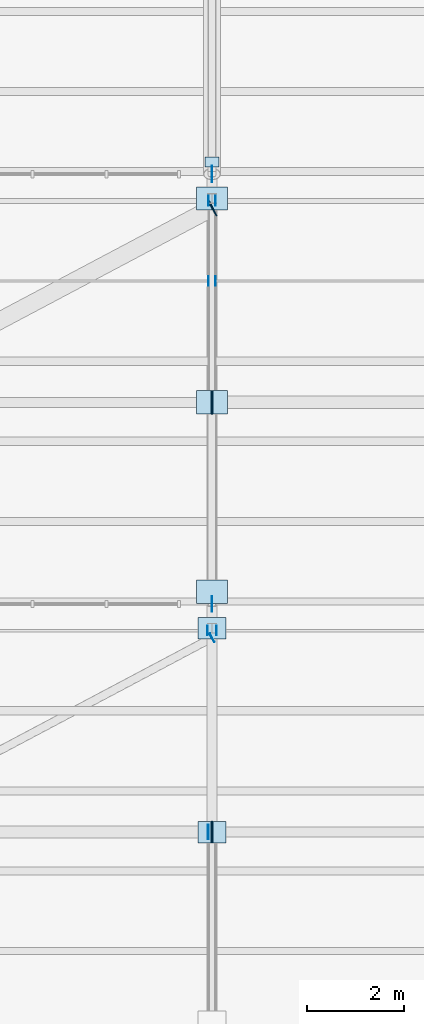
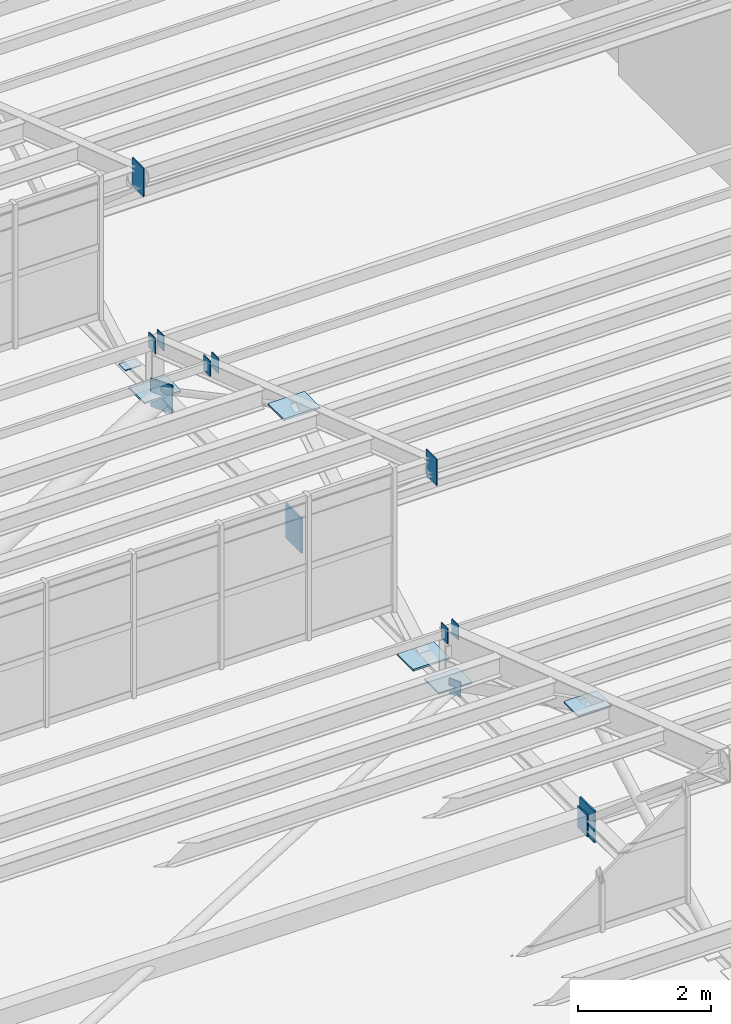
# One storey, part 230 of 285: 19 plates.
"""IFC4 building model written with IfcOpenShell, lengths in metres."""

from ifc_helpers import new_model, si_unit, direction, frame, origin, origin_2d, place, context, subcontext, project, spatial, rectangle, extrude, material, layer, layer_set, type_object, element, save


model = new_model("IFC4")

# Units and contexts
model_context = context("Model", 3, precision=1e-05, world=origin(), true_north=direction((0.0, 1.0)))
body_context = subcontext(model_context, "Body", "Model", "MODEL_VIEW")
ifc_project = project(units=[si_unit("LENGTHUNIT", "METRE"), si_unit("AREAUNIT", "SQUARE_METRE"), si_unit("VOLUMEUNIT", "CUBIC_METRE"), si_unit("PLANEANGLEUNIT", "RADIAN"), si_unit("MASSUNIT", "GRAM", prefix="KILO")], contexts=[model_context])

# Site, building, storey
site_placement = place(None, origin())
site = spatial("IfcSite", under=ifc_project, at=site_placement, CompositionType="ELEMENT")
building_placement = place(site_placement, origin())
building = spatial("IfcBuilding", under=site, at=building_placement, Name="Solanera Park Tramway Depot", CompositionType="ELEMENT")
storey_placement = place(building_placement, origin())
storey = spatial("IfcBuildingStorey", under=building, at=storey_placement, Name="L00", CompositionType="ELEMENT", Elevation=0.0)

# Plates
ifc_material_1 = material(Name="Steel AS/NZS 3679.1 Grade 350", Category="steel")
ifc_layer_1 = layer(ifc_material_1, 0.013916015625)
ifc_layer_set_1 = layer_set([ifc_layer_1], Name="Steel AS/NZS 3679.1 Grade 350")
plate_type_1 = type_object("IfcPlateType", Name="Hollow End Cap and Base Plate 280x200x14", PredefinedType="USERDEFINED", material=ifc_layer_set_1)
for number, where, z_axis, x_axis, name in (
    (1, (134.90625, 99.449951171875, 7.30615234375), (0.0, 0.0, 1.0), (1.0, 0.0, 0.0), "Hollow Section Welded End Cap Plate #0498"),
    (2, (135.09375, 99.449951171875, 7.30615234375), (0.0, 0.0, 1.0), (1.0, 0.0, 0.0), "Hollow Section Welded End Cap Plate #0499"),
    (3, (135.000732421875, 99.301513671875, 6.35986328125), (0.0, 0.0, 1.0), (0.883520501477, 0.468392488698, 0.0), "Hollow Section Welded End Cap Plate #0516"),
    (4, (134.927978515625, 106.64990234375, 7.8583984375), (0.0, 0.0, 1.0), (1.0, 0.0, 0.0), "Hollow Section Welded End Cap Plate #0589"),
    (5, (135.072021484375, 106.64990234375, 7.8583984375), (0.0, 0.0, 1.0), (1.0, 0.0, 0.0), "Hollow Section Welded End Cap Plate #0590"),
    (6, (134.927978515625, 108.300048828125, 7.27294921875), (0.0, 0.0, 1.0), (1.0, 0.0, 0.0), "Hollow Section Welded End Cap Plate #0609"),
    (7, (135.072021484375, 108.300048828125, 7.27294921875), (0.0, 0.0, 1.0), (1.0, 0.0, 0.0), "Hollow Section Welded End Cap Plate #0610"),
):
    element("IfcPlate", number, at=place(storey_placement, frame(where, z_axis=z_axis, x_axis=x_axis)), inside=storey, type_object=plate_type_1, Name=name, ObjectType="BASE PLATE", PredefinedType="USERDEFINED", context=body_context, shape_type="SweptSolid", body=[
        extrude(rectangle(XDim=0.013916015625, YDim=0.199951171875, at=origin_2d()), origin(), (0.0, 0.0, 1.0), 0.280029296875),
    ])
plate_1_placement = place(storey_placement, frame((135.0, 109.10009765625, 6.4931640625), z_axis=(0.0, 0.0, 1.0), x_axis=(1.0, 0.0, 0.0)))
element("IfcPlate", 8, at=plate_1_placement, inside=storey, type_object=plate_type_1, Name="Sawtooth Truss Node Cap Plate #0677", ObjectType="BASE PLATE", PredefinedType="USERDEFINED", context=body_context, shape_type="SweptSolid", body=[
    extrude(rectangle(XDim=0.280029296875, YDim=0.199951171875, at=origin_2d()), origin(), (0.0, 0.0, 1.0), 0.013916015625),
])
ifc_material_2 = material(Name="Steel AS/NZS 3679.1 Grade 350", Category="steel")
ifc_layer_2 = layer(ifc_material_2, 0.02001953125)
ifc_layer_set_2 = layer_set([ifc_layer_2], Name="Steel AS/NZS 3679.1 Grade 350")
plate_type_2 = type_object("IfcPlateType", Name="Hollow End Cap and Base Plate 400x300x20", PredefinedType="USERDEFINED", material=ifc_layer_set_2)
plate_2_placement = place(storey_placement, frame((134.91796875, 95.300048828125, 6.300048828125), z_axis=(0.0, 0.0, 1.0), x_axis=(1.0, 0.0, 0.0)))
element("IfcPlate", 9, at=plate_2_placement, inside=storey, type_object=plate_type_2, Name="Hollow Section Welded End Cap Plate #0514", ObjectType="BASE PLATE", PredefinedType="USERDEFINED", context=body_context, shape_type="SweptSolid", body=[
    extrude(rectangle(XDim=0.02001953125, YDim=0.300048828125, at=origin_2d()), origin(), (0.0, 0.0, 1.0), 0.39990234375),
])
ifc_material_3 = material(Name="Steel AS/NZS 3679.1 Grade 350", Category="steel")
ifc_layer_3 = layer(ifc_material_3, 0.02490234375)
ifc_layer_set_3 = layer_set([ifc_layer_3], Name="Steel AS/NZS 3679.1 Grade 350")
plate_type_3 = type_object("IfcPlateType", Name="Hollow End Cap and Base Plate 520x380x25", PredefinedType="USERDEFINED", material=ifc_layer_set_3)
plate_3_placement = place(storey_placement, frame((135.005615234375, 108.154052734375, 6.239990234375), z_axis=(0.0, 0.0, 1.0), x_axis=(0.883520501477, 0.468392488698, 0.0)))
element("IfcPlate", 10, at=plate_3_placement, inside=storey, type_object=plate_type_3, Name="Hollow Section Welded End Cap Plate #0627", ObjectType="BASE PLATE", PredefinedType="USERDEFINED", context=body_context, shape_type="SweptSolid", body=[
    extrude(rectangle(XDim=0.02490234375, YDim=0.3798828125, at=origin_2d()), origin(), (0.0, 0.0, 1.0), 0.52001953125),
])
ifc_material_4 = material(Name="Steel AS/NZS 3679.1 Grade 350", Category="steel")
ifc_layer_4 = layer(ifc_material_4, 0.028076171875)
ifc_layer_set_4 = layer_set([ifc_layer_4], Name="Steel AS/NZS 3679.1 Grade 350")
plate_type_4 = type_object("IfcPlateType", Name="Hollow End Cap and Base Plate 580x440x28", PredefinedType="USERDEFINED", material=ifc_layer_set_4)
plate_4_placement = place(storey_placement, frame((135.0, 95.300048828125, 6.2099609375), z_axis=(0.0, 0.0, 1.0), x_axis=(1.0, 0.0, 0.0)))
element("IfcPlate", 11, at=plate_4_placement, inside=storey, type_object=plate_type_4, Name="Sawtooth Truss Hollow End Cap #0472", ObjectType="BASE PLATE", PredefinedType="USERDEFINED", context=body_context, shape_type="SweptSolid", body=[
    extrude(rectangle(XDim=0.028076171875, YDim=0.43994140625, at=origin_2d()), origin(), (0.0, 0.0, 1.0), 0.580078125),
])
for number, where, z_axis, x_axis, name in (
    (12, (135.0, 99.5, 6.48583984375), (0.0, 0.0, 1.0), (1.0, 0.0, 0.0), "Sawtooth Truss Node Cap Plate #0473"),
    (13, (135.0, 95.300048828125, 8.61572265625), (0.0, 0.0, 1.0), (1.0, 0.0, 0.0), "Sawtooth Truss Node Cap Plate #0474"),
):
    element("IfcPlate", number, at=place(storey_placement, frame(where, z_axis=z_axis, x_axis=x_axis)), inside=storey, type_object=plate_type_4, Name=name, ObjectType="BASE PLATE", PredefinedType="USERDEFINED", context=body_context, shape_type="SweptSolid", body=[
        extrude(rectangle(XDim=0.580078125, YDim=0.43994140625, at=origin_2d()), origin(), (0.0, 0.0, 1.0), 0.028076171875),
    ])
ifc_material_5 = material(Name="Steel AS/NZS 3679.1 Grade 350", Category="steel")
ifc_layer_5 = layer(ifc_material_5, 0.031982421875)
ifc_layer_set_5 = layer_set([ifc_layer_5], Name="Steel AS/NZS 3679.1 Grade 350")
plate_type_5 = type_object("IfcPlateType", Name="Hollow End Cap and Base Plate 640x480x32", PredefinedType="USERDEFINED", material=ifc_layer_set_5)
plate_5_placement = place(storey_placement, frame((135.0, 104.14990234375, 6.18017578125), z_axis=(0.0, 0.0, 1.0), x_axis=(1.0, 0.0, 0.0)))
element("IfcPlate", 14, at=plate_5_placement, inside=storey, type_object=plate_type_5, Name="Sawtooth Truss Hollow End Cap #0563", ObjectType="BASE PLATE", PredefinedType="USERDEFINED", context=body_context, shape_type="SweptSolid", body=[
    extrude(rectangle(XDim=0.031982421875, YDim=0.47998046875, at=origin_2d()), origin(), (0.0, 0.0, 1.0), 0.639892578125),
])
for number, where, z_axis, x_axis, name in (
    (15, (135.0, 108.35009765625, 6.48388671875), (0.0, 0.0, 1.0), (1.0, 0.0, 0.0), "Sawtooth Truss Node Cap Plate #0564"),
    (16, (135.0, 104.14990234375, 8.7265625), (0.0, 0.0, 1.0), (1.0, 0.0, 0.0), "Sawtooth Truss Node Cap Plate #0565"),
    (17, (135.0, 100.25, 6.48388671875), (0.0, 0.0, 1.0), (1.0, 0.0, 0.0), "Sawtooth Truss Node Cap Plate #0566"),
):
    element("IfcPlate", number, at=place(storey_placement, frame(where, z_axis=z_axis, x_axis=x_axis)), inside=storey, type_object=plate_type_5, Name=name, ObjectType="BASE PLATE", PredefinedType="USERDEFINED", context=body_context, shape_type="SweptSolid", body=[
        extrude(rectangle(XDim=0.639892578125, YDim=0.47998046875, at=origin_2d()), origin(), (0.0, 0.0, 1.0), 0.031982421875),
    ])
ifc_material_6 = material(Name="Steel AS/NZS 3679.1 Grade 350", Category="steel")
ifc_layer_6 = layer(ifc_material_6, 0.01806640625)
ifc_layer_set_6 = layer_set([ifc_layer_6], Name="Steel AS/NZS 3679.1 Grade 350")
plate_type_6 = type_object("IfcPlateType", Name="Truss Node Gusset Stiffener 480x320x18", PredefinedType="SHEET", material=ifc_layer_set_6)
plate_6_placement = place(storey_placement, frame((135.0, 100.0, 9.89111328125), z_axis=(0.0, 0.0, 1.0), x_axis=(1.0, 0.0, 0.0)))
element("IfcPlate", 18, at=plate_6_placement, inside=storey, type_object=plate_type_6, Name="Sawtooth Truss Apex Gusset Plate #0562", PredefinedType="SHEET", context=body_context, shape_type="SweptSolid", body=[
    extrude(rectangle(XDim=0.01806640625, YDim=0.320068359375, at=origin_2d()), origin(), (0.0, 0.0, 1.0), 0.47998046875),
])
ifc_material_7 = material(Name="Steel AS/NZS 3679.1 Grade 350", Category="steel")
ifc_layer_7 = layer(ifc_material_7, 0.01806640625)
ifc_layer_set_7 = layer_set([ifc_layer_7], Name="Steel AS/NZS 3679.1 Grade 350")
plate_type_7 = type_object("IfcPlateType", Name="Truss Node Gusset Stiffener 520x340x18", PredefinedType="SHEET", material=ifc_layer_set_7)
plate_7_placement = place(storey_placement, frame((135.0, 108.85009765625, 9.846923828125), z_axis=(0.0, 0.0, 1.0), x_axis=(1.0, 0.0, 0.0)))
element("IfcPlate", 19, at=plate_7_placement, inside=storey, type_object=plate_type_7, Name="Sawtooth Truss Apex Gusset Plate #0673", PredefinedType="SHEET", context=body_context, shape_type="SweptSolid", body=[
    extrude(rectangle(XDim=0.01806640625, YDim=0.340087890625, at=origin_2d()), origin(), (0.0, 0.0, 1.0), 0.52001953125),
])

save(model, "model.ifc")
